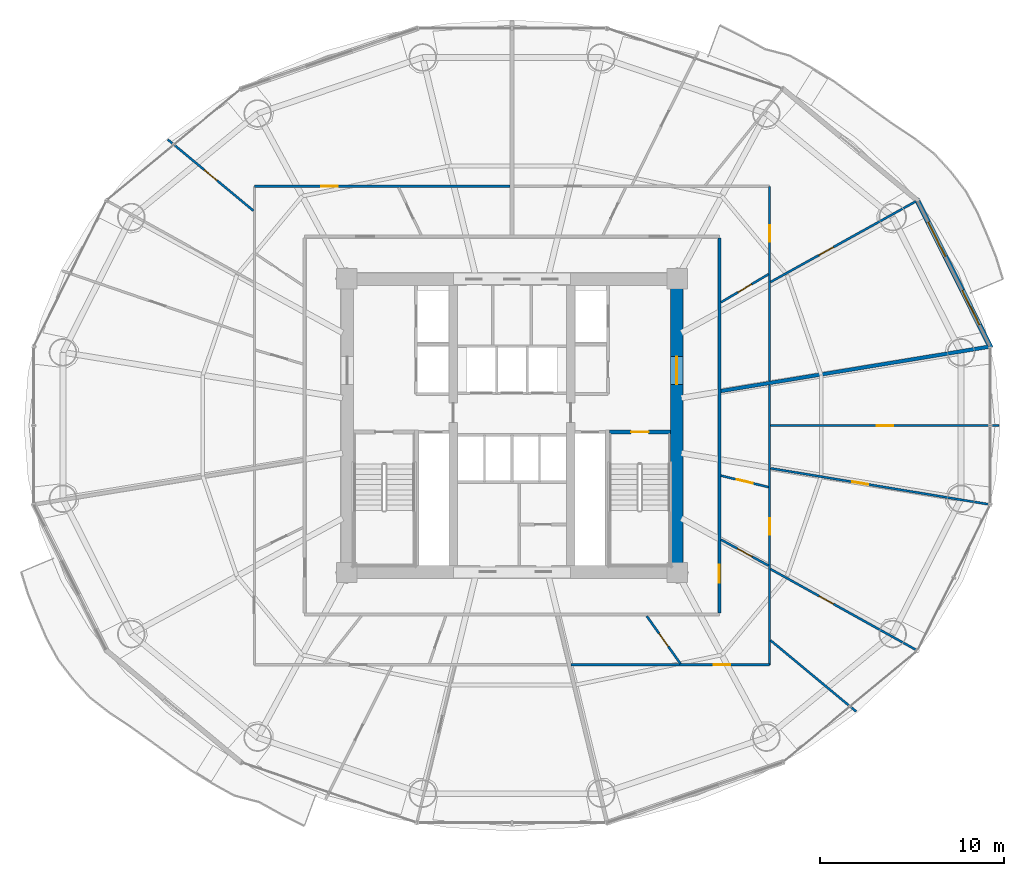
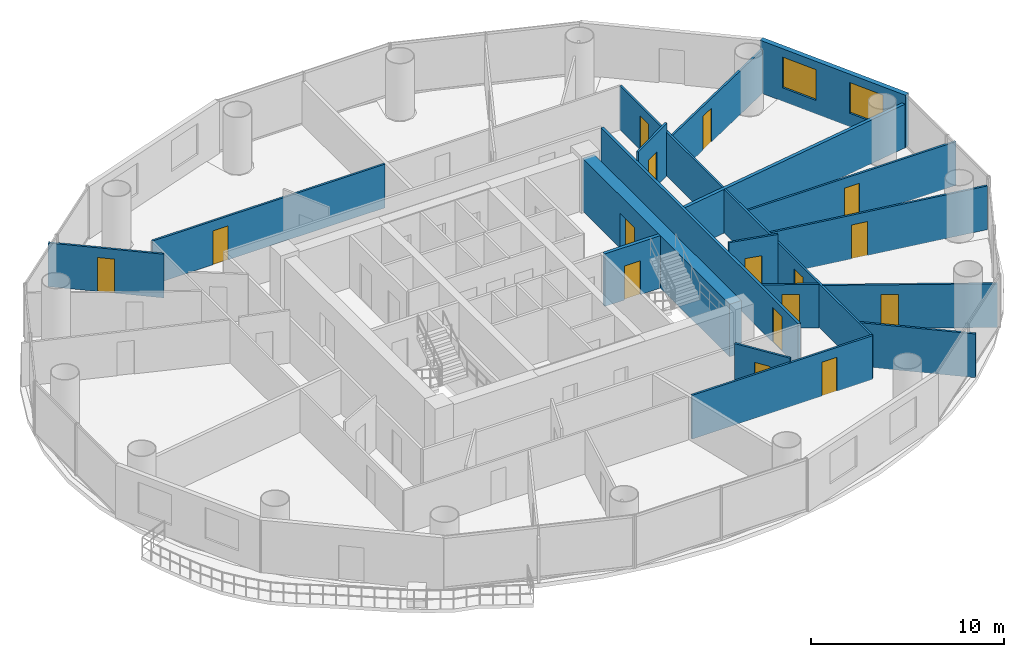
# One storey, part 24 of 29: 19 walls, 16 doors, 2 windows, 18 openings.
"""IFC4 building model written with IfcOpenShell, lengths in metres."""

from ifc_helpers import new_model, si_unit, direction, frame, frame_2d, origin, place, context, subcontext, project, spatial, rectangle, extrude, source, transform, mapped, material, layer, layer_set, type_object, element, fill, save


model = new_model("IFC4")

# Units and contexts
model_context = context("Model", 3, precision=1e-05, world=origin(), true_north=direction((-0.2419218956, 0.970295726276)))
body_context = subcontext(model_context, "Body", "Model", "MODEL_VIEW")
ifc_project = project(units=[si_unit("LENGTHUNIT", "METRE"), si_unit("AREAUNIT", "SQUARE_METRE"), si_unit("VOLUMEUNIT", "CUBIC_METRE"), si_unit("PLANEANGLEUNIT", "RADIAN"), si_unit("MASSUNIT", "GRAM", prefix="KILO")], contexts=[model_context])

# Site, building, storey
site_placement = place(None, origin())
site = spatial("IfcSite", under=ifc_project, at=site_placement, CompositionType="ELEMENT")
building_placement = place(site_placement, origin())
building = spatial("IfcBuilding", under=site, at=building_placement, Name="Cobrevalo Terracotta Tower", CompositionType="ELEMENT")
storey_placement = place(building_placement, frame((0.0, 0.0, 79.800048828125)))
storey = spatial("IfcBuildingStorey", under=building, at=storey_placement, Name="L20", CompositionType="ELEMENT", Elevation=79.800048828125)

# Wall, opening, door
ifc_material_1 = material(Name="Concrete C60", Category="concrete")
ifc_layer_1 = layer(ifc_material_1, 0.699951171875)
ifc_layer_set_1 = layer_set([ifc_layer_1], Name="Concrete C60")
wall_type_1 = type_object("IfcWallType", Name="Core shear wall 700 mm Concrete C60", PredefinedType="SHEAR", material=ifc_layer_set_1)
wall_1_placement = place(storey_placement, frame((46.97509765625, 19.175048828125, 0.0), z_axis=(0.0, 0.0, 1.0), x_axis=(0.0, 1.0, 0.0)))
wall_1 = element("IfcWall", 1, at=wall_1_placement, inside=storey, type_object=wall_type_1, Name="L20 east core shear wall", PredefinedType="SHEAR", context=body_context, shape_type="SweptSolid", body=[
    extrude(rectangle(XDim=15.25, YDim=0.699951171875, at=frame_2d((7.625, 0.0))), origin(), (0.0, 0.0, 1.0), 3.324951171875),
])
opening_1_placement = place(wall_1_placement, frame((9.875, 0.0, 0.0)))
opening_1 = element("IfcOpeningElement", 2, at=opening_1_placement, cuts=wall_1, Name="Opening ID-14", PredefinedType="OPENING", context=body_context, shape_type="SweptSolid", body=[
    extrude(rectangle(XDim=1.5, YDim=2.199951171875, at=frame_2d((0.75, 1.10009765625))), frame((0.0, 0.35986328125, 0.0), z_axis=(0.0, -1.0, 0.0), x_axis=(1.0, 0.0, 0.0)), (0.0, 0.0, 1.0), 0.719970703125),
])
ifc_material_2 = material(Name="Galvanized fire-rated steel", Category="steel")
door_type_1 = type_object("IfcDoorType", Name="Core cross-lobby double fire door 1500x2200 EI 90", OperationType="NOTDEFINED", PredefinedType="DOOR", material=ifc_material_2)
shared_shape_1 = source(origin(), body_context, "Body", "SweptSolid", [
    extrude(rectangle(XDim=1.5, YDim=2.199951171875, at=frame_2d((0.75, 1.10009765625))), frame((0.0, 0.02490234375, 0.0), z_axis=(0.0, -1.0, 0.0), x_axis=(1.0, 0.0, 0.0)), (0.0, 0.0, 1.0), 0.050048828125),
])
door_1_placement = place(opening_1_placement, frame((1.5, 0.0, 0.0), z_axis=(0.0, 0.0, 1.0), x_axis=(-1.0, 0.0, 0.0)))
door_1 = element("IfcDoor", 3, at=door_1_placement, inside=storey, type_object=door_type_1, Name="L20 east firefighting lobby entrance door", OperationType="DOUBLE_DOOR_SINGLE_SWING", OverallHeight=2.199951171875, OverallWidth=1.5, PredefinedType="DOOR", context=body_context, shape_type="MappedRepresentation", body=[
    mapped(shared_shape_1, transform((0.0, 0.0, 0.0), scale=1.0)),
])
fill(opening_1, door_1)

ifc_material_3 = material(Name="Gypsum board on steel stud", Category="steel")
ifc_layer_2 = layer(ifc_material_3, 0.159912109375)
ifc_layer_set_2 = layer_set([ifc_layer_2], Name="Gypsum board on steel stud")
wall_type_2 = type_object("IfcWallType", Name="Fire-rated corridor acoustic partition wall 160 mm", PredefinedType="PARTITIONING", material=ifc_layer_set_2)
wall_2_placement = place(storey_placement, frame((49.304931640625, 16.574951171875, 0.0), z_axis=(0.0, 0.0, 1.0), x_axis=(0.0, 1.0, 0.0)))
wall_2 = element("IfcWall", 4, at=wall_2_placement, inside=storey, type_object=wall_type_2, Name="L20 interior partition IW-L20-COR-E", PredefinedType="PARTITIONING", context=body_context, shape_type="SweptSolid", body=[
    extrude(rectangle(XDim=20.449951171875, YDim=0.159912109375, at=frame_2d((10.22509765625, 0.0))), origin(), (0.0, 0.0, 1.0), 2.766845703125),
])
opening_2_placement = place(wall_2_placement, frame((1.64892578125, 0.0, 0.0)))
opening_2 = element("IfcOpeningElement", 5, at=opening_2_placement, cuts=wall_2, Name="Opening ID-05", PredefinedType="OPENING", context=body_context, shape_type="SweptSolid", body=[
    extrude(rectangle(XDim=0.97998046875, YDim=2.199951171875, at=frame_2d((0.489990234375, 1.10009765625))), frame((0.0, 0.08984375, 0.0), z_axis=(0.0, -1.0, 0.0), x_axis=(1.0, 0.0, 0.0)), (0.0, 0.0, 1.0), 0.179931640625),
])
ifc_material_4 = material(Name="Solid hardwood timber", Category="wood")
door_type_2 = type_object("IfcDoorType", Name="Residence entrance fire-rated acoustic timber door 980x2200 EI 60", OperationType="NOTDEFINED", PredefinedType="DOOR", material=ifc_material_4)
shared_shape_2 = source(origin(), body_context, "Body", "SweptSolid", [
    extrude(rectangle(XDim=0.97998046875, YDim=2.199951171875, at=frame_2d((0.489990234375, 1.10009765625))), frame((0.0, 0.02490234375, 0.0), z_axis=(0.0, -1.0, 0.0), x_axis=(1.0, 0.0, 0.0)), (0.0, 0.0, 1.0), 0.050048828125),
])
door_2_placement = place(opening_2_placement, frame((0.97998046875, 0.0, 0.0), z_axis=(0.0, 0.0, 1.0), x_axis=(-1.0, 0.0, 0.0)))
door_2 = element("IfcDoor", 6, at=door_2_placement, inside=storey, type_object=door_type_2, Name="Flat L20D fire-rated apartment entrance door", OperationType="SINGLE_SWING_RIGHT", OverallHeight=2.199951171875, OverallWidth=0.97998046875, PredefinedType="DOOR", context=body_context, shape_type="MappedRepresentation", body=[
    mapped(shared_shape_2, transform((0.0, 0.0, 0.0), scale=1.0)),
])
fill(opening_2, door_2)

# Wall
ifc_material_5 = material(Name="Autoclaved aerated concrete block", Category="concrete")
ifc_layer_3 = layer(ifc_material_5, 0.199951171875)
ifc_layer_set_3 = layer_set([ifc_layer_3], Name="Autoclaved aerated concrete block")
wall_type_3 = type_object("IfcWallType", Name="Fire-rated stair, shaft & demising masonry wall 200 mm", PredefinedType="PARTITIONING", material=ifc_layer_set_3)
wall_3_placement = place(storey_placement, frame((49.386962890625, 28.681884765625, 0.0), z_axis=(0.0, 0.0, 1.0), x_axis=(0.986617934215, 0.163049231479, 0.0)))
element("IfcWall", 7, at=wall_3_placement, inside=storey, type_object=wall_type_3, Name="L20 interior partition IW-L20-DEM-1", PredefinedType="PARTITIONING", context=body_context, shape_type="SweptSolid", body=[
    extrude(rectangle(XDim=14.78466796875, YDim=0.199951171875, at=frame_2d((7.392333984375, 0.0))), origin(), (0.0, 0.0, 1.0), 2.766845703125),
])

# Wall, openings, windows
ifc_layer_4 = layer(ifc_material_5, 0.280029296875)
ifc_layer_set_4 = layer_set([ifc_layer_4], Name="Autoclaved aerated concrete block")
wall_type_4 = type_object("IfcWallType", Name="Insulated tower spandrel & pier wall 280 mm with terracotta rainscreen", PredefinedType="SOLIDWALL", material=ifc_layer_set_4)
wall_4_placement = place(storey_placement, frame((64.09521484375, 31.033935546875, 0.0), z_axis=(0.0, 0.0, 1.0), x_axis=(-0.446263788661, 0.894901464369, 0.0)))
wall_4 = element("IfcWall", 8, at=wall_4_placement, inside=storey, type_object=wall_type_4, Name="L20 terracotta rainscreen pier wall S01", PredefinedType="SOLIDWALL", context=body_context, shape_type="SweptSolid", body=[
    extrude(rectangle(XDim=9.05029296875, YDim=0.280029296875, at=frame_2d((4.525146484375, 0.0))), origin(), (0.0, 0.0, 1.0), 3.324951171875),
])
opening_3_placement = place(wall_4_placement, frame((1.3935546875, 0.0, 0.85009765625)))
opening_3 = element("IfcOpeningElement", 9, at=opening_3_placement, cuts=wall_4, Name="Opening WN-10", PredefinedType="OPENING", context=body_context, shape_type="SweptSolid", body=[
    extrude(rectangle(XDim=2.10009765625, YDim=1.949951171875, at=frame_2d((1.050048828125, 0.97509765625))), frame((0.0, 0.14990234375, 0.0), z_axis=(0.0, -1.0, 0.0), x_axis=(1.0, 0.0, 0.0)), (0.0, 0.0, 1.0), 0.300048828125),
])
opening_4_placement = place(wall_4_placement, frame((5.556640625, 0.0, 0.85009765625)))
opening_4 = element("IfcOpeningElement", 10, at=opening_4_placement, cuts=wall_4, Name="Opening WN-10", PredefinedType="OPENING", context=body_context, shape_type="SweptSolid", body=[
    extrude(rectangle(XDim=2.10009765625, YDim=1.949951171875, at=frame_2d((1.050048828125, 0.97509765625))), frame((0.0, 0.14990234375, 0.0), z_axis=(0.0, -1.0, 0.0), x_axis=(1.0, 0.0, 0.0)), (0.0, 0.0, 1.0), 0.300048828125),
])
ifc_material_6 = material(Name="Solar-control low-E double glazing", Category="glass")
window_type = type_object("IfcWindowType", Name="Wide panoramic low-E aluminium window 2100x1950", PartitioningType="SINGLE_PANEL", PredefinedType="WINDOW", material=ifc_material_6)
shared_shape_3 = source(origin(), body_context, "Body", "SweptSolid", [
    extrude(rectangle(XDim=2.10009765625, YDim=1.949951171875, at=frame_2d((1.050048828125, 0.97509765625))), frame((0.0, 0.030029296875, 0.0), z_axis=(0.0, -1.0, 0.0), x_axis=(1.0, 0.0, 0.0)), (0.0, 0.0, 1.0), 0.06005859375),
])
window_1_placement = place(opening_3_placement, origin())
window_1 = element("IfcWindow", 11, at=window_1_placement, inside=storey, type_object=window_type, Name="L20 suite window S01A", OverallHeight=1.949951171875, OverallWidth=2.10009765625, PartitioningType="SINGLE_PANEL", PredefinedType="WINDOW", context=body_context, shape_type="MappedRepresentation", body=[
    mapped(shared_shape_3, transform((0.0, 0.0, 0.0), scale=1.0)),
])
fill(opening_3, window_1)
window_2_placement = place(opening_4_placement, origin())
window_2 = element("IfcWindow", 12, at=window_2_placement, inside=storey, type_object=window_type, Name="L20 suite window S01B", OverallHeight=1.949951171875, OverallWidth=2.10009765625, PartitioningType="SINGLE_PANEL", PredefinedType="WINDOW", context=body_context, shape_type="MappedRepresentation", body=[
    mapped(shared_shape_3, transform((0.0, 0.0, 0.0), scale=1.0)),
])
fill(opening_4, window_2)

# Wall, opening, door
ifc_layer_5 = layer(ifc_material_3, 0.1201171875)
ifc_layer_set_5 = layer_set([ifc_layer_5], Name="Gypsum board on steel stud")
wall_type_5 = type_object("IfcWallType", Name="Residential internal acoustic stud partition 120 mm", PredefinedType="PARTITIONING", material=ifc_layer_set_5)
wall_5_placement = place(storey_placement, frame((52.034912109375, 39.8349609375, 0.0), z_axis=(0.0, 0.0, 1.0), x_axis=(0.0, -1.0, 0.0)))
wall_5 = element("IfcWall", 13, at=wall_5_placement, inside=storey, type_object=wall_type_5, Name="L20 interior partition IW-L20-U1-RING1_0", PredefinedType="PARTITIONING", context=body_context, shape_type="SweptSolid", body=[
    extrude(rectangle(XDim=10.613525390625, YDim=0.1201171875, at=frame_2d((5.306640625, 0.0))), origin(), (0.0, 0.0, 1.0), 2.766845703125),
])
opening_5_placement = place(wall_5_placement, frame((2.107421875, 0.0, 0.0)))
opening_5 = element("IfcOpeningElement", 14, at=opening_5_placement, cuts=wall_5, Name="Opening ID-12", PredefinedType="OPENING", context=body_context, shape_type="SweptSolid", body=[
    extrude(rectangle(XDim=0.89990234375, YDim=2.14990234375, at=frame_2d((0.449951171875, 1.074951171875))), frame((0.0, 0.070068359375, 0.0), z_axis=(0.0, -1.0, 0.0), x_axis=(1.0, 0.0, 0.0)), (0.0, 0.0, 1.0), 0.14013671875),
])
ifc_material_7 = material(Name="Engineered timber", Category="wood")
door_type_3 = type_object("IfcDoorType", Name="Internal residence & suite timber door 900x2150", OperationType="NOTDEFINED", PredefinedType="DOOR", material=ifc_material_7)
shared_shape_4 = source(origin(), body_context, "Body", "SweptSolid", [
    extrude(rectangle(XDim=0.89990234375, YDim=2.14990234375, at=frame_2d((0.449951171875, 1.074951171875))), frame((0.0, 0.02490234375, 0.0), z_axis=(0.0, -1.0, 0.0), x_axis=(1.0, 0.0, 0.0)), (0.0, 0.0, 1.0), 0.050048828125),
])
door_3_placement = place(opening_5_placement, origin())
door_3 = element("IfcDoor", 15, at=door_3_placement, inside=storey, type_object=door_type_3, Name="Flat L20A Master Bedroom internal door", OperationType="SINGLE_SWING_RIGHT", OverallHeight=2.14990234375, OverallWidth=0.89990234375, PredefinedType="DOOR", context=body_context, shape_type="MappedRepresentation", body=[
    mapped(shared_shape_4, transform((0.0, 0.0, 0.0), scale=1.0)),
])
fill(opening_5, door_3)

wall_6_placement = place(storey_placement, frame((52.089111328125, 34.62158203125, 0.0), z_axis=(0.0, 0.0, 1.0), x_axis=(0.874324904351, 0.485341077626, 0.0)))
wall_6 = element("IfcWall", 16, at=wall_6_placement, inside=storey, type_object=wall_type_5, Name="L20 interior partition IW-L20-U1-ORAD1", PredefinedType="PARTITIONING", context=body_context, shape_type="SweptSolid", body=[
    extrude(rectangle(XDim=9.065673828125, YDim=0.1201171875, at=frame_2d((4.53271484375, 0.0))), origin(), (0.0, 0.0, 1.0), 2.766845703125),
])
opening_6_placement = place(wall_6_placement, frame((3.015625, 0.0, 0.0)))
opening_6 = element("IfcOpeningElement", 17, at=opening_6_placement, cuts=wall_6, Name="Opening ID-12", PredefinedType="OPENING", context=body_context, shape_type="SweptSolid", body=[
    extrude(rectangle(XDim=0.89990234375, YDim=2.14990234375, at=frame_2d((0.449951171875, 1.074951171875))), frame((0.0, 0.070068359375, 0.0), z_axis=(0.0, -1.0, 0.0), x_axis=(1.0, 0.0, 0.0)), (0.0, 0.0, 1.0), 0.14013671875),
])
door_4_placement = place(opening_6_placement, frame((0.89990234375, 0.0, 0.0), z_axis=(0.0, 0.0, 1.0), x_axis=(-1.0, 0.0, 0.0)))
door_4 = element("IfcDoor", 18, at=door_4_placement, inside=storey, type_object=door_type_3, Name="Flat L20A Living and Dining Room internal door", OperationType="SINGLE_SWING_RIGHT", OverallHeight=2.14990234375, OverallWidth=0.89990234375, PredefinedType="DOOR", context=body_context, shape_type="MappedRepresentation", body=[
    mapped(shared_shape_4, transform((0.0, 0.0, 0.0), scale=1.0)),
])
fill(opening_6, door_4)

wall_7_placement = place(storey_placement, frame((49.38671875, 33.516845703125, 0.0), z_axis=(0.0, 0.0, 1.0), x_axis=(0.861344081849, 0.508022019862, 0.0)))
wall_7 = element("IfcWall", 19, at=wall_7_placement, inside=storey, type_object=wall_type_5, Name="L20 interior partition IW-L20-U1-IRAD1", PredefinedType="PARTITIONING", context=body_context, shape_type="SweptSolid", body=[
    extrude(rectangle(XDim=3.0126953125, YDim=0.1201171875, at=frame_2d((1.50634765625, 0.0))), origin(), (0.0, 0.0, 1.0), 3.324951171875),
])
opening_7_placement = place(wall_7_placement, frame((1.076416015625, 0.0, 0.0)))
opening_7 = element("IfcOpeningElement", 20, at=opening_7_placement, cuts=wall_7, Name="Opening ID-19", PredefinedType="OPENING", context=body_context, shape_type="SweptSolid", body=[
    extrude(rectangle(XDim=0.860107421875, YDim=2.14990234375, at=frame_2d((0.43017578125, 1.074951171875))), frame((0.0, 0.070068359375, 0.0), z_axis=(0.0, -1.0, 0.0), x_axis=(1.0, 0.0, 0.0)), (0.0, 0.0, 1.0), 0.14013671875),
])
ifc_material_8 = material(Name="Moisture-sealed timber", Category="wood")
door_type_4 = type_object("IfcDoorType", Name="Suite bathroom internal timber door 860x2150", OperationType="NOTDEFINED", PredefinedType="DOOR", material=ifc_material_8)
shared_shape_5 = source(origin(), body_context, "Body", "SweptSolid", [
    extrude(rectangle(XDim=0.860107421875, YDim=2.14990234375, at=frame_2d((0.43017578125, 1.074951171875))), frame((0.0, 0.02490234375, 0.0), z_axis=(0.0, -1.0, 0.0), x_axis=(1.0, 0.0, 0.0)), (0.0, 0.0, 1.0), 0.050048828125),
])
door_5_placement = place(opening_7_placement, frame((0.860107421875, 0.0, 0.0), z_axis=(0.0, 0.0, 1.0), x_axis=(-1.0, 0.0, 0.0)))
door_5 = element("IfcDoor", 21, at=door_5_placement, inside=storey, type_object=door_type_4, Name="Flat L20A Primary Bathroom internal door", OperationType="SINGLE_SWING_LEFT", OverallHeight=2.14990234375, OverallWidth=0.860107421875, PredefinedType="DOOR", context=body_context, shape_type="MappedRepresentation", body=[
    mapped(shared_shape_5, transform((0.0, 0.0, 0.0), scale=1.0)),
])
fill(opening_7, door_5)

wall_8_placement = place(storey_placement, frame((23.965087890625, 39.8349609375, 0.0), z_axis=(0.0, 0.0, 1.0), x_axis=(1.0, 0.0, 0.0)))
wall_8 = element("IfcWall", 22, at=wall_8_placement, inside=storey, type_object=wall_type_5, Name="L20 interior partition IW-L20-U2-RING1_0", PredefinedType="PARTITIONING", context=body_context, shape_type="SweptSolid", body=[
    extrude(rectangle(XDim=13.932861328125, YDim=0.1201171875, at=frame_2d((6.96630859375, 0.0))), origin(), (0.0, 0.0, 1.0), 2.766845703125),
])
opening_8_placement = place(wall_8_placement, frame((3.635986328125, 0.0, 0.0)))
opening_8 = element("IfcOpeningElement", 23, at=opening_8_placement, cuts=wall_8, Name="Opening ID-12", PredefinedType="OPENING", context=body_context, shape_type="SweptSolid", body=[
    extrude(rectangle(XDim=0.89990234375, YDim=2.14990234375, at=frame_2d((0.449951171875, 1.074951171875))), frame((0.0, 0.070068359375, 0.0), z_axis=(0.0, -1.0, 0.0), x_axis=(1.0, 0.0, 0.0)), (0.0, 0.0, 1.0), 0.14013671875),
])
door_6_placement = place(opening_8_placement, origin())
door_6 = element("IfcDoor", 24, at=door_6_placement, inside=storey, type_object=door_type_3, Name="Flat L20B Penthouse Living and Dining Room internal door", OperationType="SINGLE_SWING_LEFT", OverallHeight=2.14990234375, OverallWidth=0.89990234375, PredefinedType="DOOR", context=body_context, shape_type="MappedRepresentation", body=[
    mapped(shared_shape_4, transform((0.0, 0.0, 0.0), scale=1.0)),
])
fill(opening_8, door_6)

wall_9_placement = place(storey_placement, frame((23.917236328125, 38.500244140625, 0.0), z_axis=(0.0, 0.0, 1.0), x_axis=(-0.769161827891, 0.63905405289, 0.0)))
wall_9 = element("IfcWall", 25, at=wall_9_placement, inside=storey, type_object=wall_type_5, Name="L20 interior partition IW-L20-U2-ORAD1", PredefinedType="PARTITIONING", context=body_context, shape_type="SweptSolid", body=[
    extrude(rectangle(XDim=6.07958984375, YDim=0.1201171875, at=frame_2d((3.039794921875, 0.0))), origin(), (0.0, 0.0, 1.0), 2.766845703125),
])
opening_9_placement = place(wall_9_placement, frame((2.58984375, 0.0, 0.0)))
opening_9 = element("IfcOpeningElement", 26, at=opening_9_placement, cuts=wall_9, Name="Opening ID-12", PredefinedType="OPENING", context=body_context, shape_type="SweptSolid", body=[
    extrude(rectangle(XDim=0.89990234375, YDim=2.14990234375, at=frame_2d((0.449951171875, 1.074951171875))), frame((0.0, 0.070068359375, 0.0), z_axis=(0.0, -1.0, 0.0), x_axis=(1.0, 0.0, 0.0)), (0.0, 0.0, 1.0), 0.14013671875),
])
door_7_placement = place(opening_9_placement, origin())
door_7 = element("IfcDoor", 27, at=door_7_placement, inside=storey, type_object=door_type_3, Name="Flat L20B Master Bedroom internal door", OperationType="SINGLE_SWING_RIGHT", OverallHeight=2.14990234375, OverallWidth=0.89990234375, PredefinedType="DOOR", context=body_context, shape_type="MappedRepresentation", body=[
    mapped(shared_shape_4, transform((0.0, 0.0, 0.0), scale=1.0)),
])
fill(opening_9, door_7)

wall_10_placement = place(storey_placement, frame((52.034912109375, 29.017333984375, 0.0), z_axis=(0.0, 0.0, 1.0), x_axis=(0.0, -1.0, 0.0)))
wall_10 = element("IfcWall", 28, at=wall_10_placement, inside=storey, type_object=wall_type_5, Name="L20 interior partition IW-L20-U4-RING0_0", PredefinedType="PARTITIONING", context=body_context, shape_type="SweptSolid", body=[
    extrude(rectangle(XDim=15.25244140625, YDim=0.1201171875, at=frame_2d((7.626220703125, 0.0))), origin(), (0.0, 0.0, 1.0), 2.766845703125),
])
opening_10_placement = place(wall_10_placement, frame((7.2783203125, 0.0, 0.0)))
opening_10 = element("IfcOpeningElement", 29, at=opening_10_placement, cuts=wall_10, Name="Opening ID-12", PredefinedType="OPENING", context=body_context, shape_type="SweptSolid", body=[
    extrude(rectangle(XDim=0.89990234375, YDim=2.14990234375, at=frame_2d((0.449951171875, 1.074951171875))), frame((0.0, 0.070068359375, 0.0), z_axis=(0.0, -1.0, 0.0), x_axis=(1.0, 0.0, 0.0)), (0.0, 0.0, 1.0), 0.14013671875),
])
door_8_placement = place(opening_10_placement, origin())
door_8 = element("IfcDoor", 30, at=door_8_placement, inside=storey, type_object=door_type_3, Name="Flat L20D Penthouse Family Lounge internal door", OperationType="SINGLE_SWING_RIGHT", OverallHeight=2.14990234375, OverallWidth=0.89990234375, PredefinedType="DOOR", context=body_context, shape_type="MappedRepresentation", body=[
    mapped(shared_shape_4, transform((0.0, 0.0, 0.0), scale=1.0)),
])
fill(opening_10, door_8)

wall_11_placement = place(storey_placement, frame((52.034912109375, 13.764892578125, 0.0), z_axis=(0.0, 0.0, 1.0), x_axis=(-1.0, 0.0, 0.0)))
wall_11 = element("IfcWall", 31, at=wall_11_placement, inside=storey, type_object=wall_type_5, Name="L20 interior partition IW-L20-U4-RING1_0", PredefinedType="PARTITIONING", context=body_context, shape_type="SweptSolid", body=[
    extrude(rectangle(XDim=10.812255859375, YDim=0.1201171875, at=frame_2d((5.40625, 0.0))), origin(), (0.0, 0.0, 1.0), 2.766845703125),
])
opening_11_placement = place(wall_11_placement, frame((2.14453125, 0.0, 0.0)))
opening_11 = element("IfcOpeningElement", 32, at=opening_11_placement, cuts=wall_11, Name="Opening ID-12", PredefinedType="OPENING", context=body_context, shape_type="SweptSolid", body=[
    extrude(rectangle(XDim=0.89990234375, YDim=2.14990234375, at=frame_2d((0.449951171875, 1.074951171875))), frame((0.0, 0.070068359375, 0.0), z_axis=(0.0, -1.0, 0.0), x_axis=(1.0, 0.0, 0.0)), (0.0, 0.0, 1.0), 0.14013671875),
])
door_9_placement = place(opening_11_placement, origin())
door_9 = element("IfcDoor", 33, at=door_9_placement, inside=storey, type_object=door_type_3, Name="Flat L20D Penthouse Living and Dining Room internal door", OperationType="SINGLE_SWING_RIGHT", OverallHeight=2.14990234375, OverallWidth=0.89990234375, PredefinedType="DOOR", context=body_context, shape_type="MappedRepresentation", body=[
    mapped(shared_shape_4, transform((0.0, 0.0, 0.0), scale=1.0)),
])
fill(opening_11, door_9)

# Wall
wall_12_placement = place(storey_placement, frame((52.082763671875, 15.099609375, 0.0), z_axis=(0.0, 0.0, 1.0), x_axis=(0.769161827891, -0.63905405289, 0.0)))
element("IfcWall", 34, at=wall_12_placement, inside=storey, type_object=wall_type_5, Name="L20 interior partition IW-L20-U4-ORAD1", PredefinedType="PARTITIONING", context=body_context, shape_type="SweptSolid", body=[
    extrude(rectangle(XDim=6.07958984375, YDim=0.1201171875, at=frame_2d((3.039794921875, 0.0))), origin(), (0.0, 0.0, 1.0), 2.766845703125),
])

# Wall, opening, door
wall_13_placement = place(storey_placement, frame((52.089111328125, 18.978515625, 0.0), z_axis=(0.0, 0.0, 1.0), x_axis=(0.874313476423, -0.485361664066, 0.0)))
wall_13 = element("IfcWall", 35, at=wall_13_placement, inside=storey, type_object=wall_type_5, Name="L20 interior partition IW-L20-U4-ORAD2M1", PredefinedType="PARTITIONING", context=body_context, shape_type="SweptSolid", body=[
    extrude(rectangle(XDim=9.065673828125, YDim=0.1201171875, at=frame_2d((4.53271484375, 0.0))), origin(), (0.0, 0.0, 1.0), 2.766845703125),
])
opening_12_placement = place(wall_13_placement, frame((3.02001953125, 0.0, 0.0)))
opening_12 = element("IfcOpeningElement", 36, at=opening_12_placement, cuts=wall_13, Name="Opening ID-12", PredefinedType="OPENING", context=body_context, shape_type="SweptSolid", body=[
    extrude(rectangle(XDim=0.89990234375, YDim=2.14990234375, at=frame_2d((0.449951171875, 1.074951171875))), frame((0.0, 0.070068359375, 0.0), z_axis=(0.0, -1.0, 0.0), x_axis=(1.0, 0.0, 0.0)), (0.0, 0.0, 1.0), 0.14013671875),
])
door_10_placement = place(opening_12_placement, frame((0.89990234375, 0.0, 0.0), z_axis=(0.0, 0.0, 1.0), x_axis=(-1.0, 0.0, 0.0)))
door_10 = element("IfcDoor", 37, at=door_10_placement, inside=storey, type_object=door_type_3, Name="Flat L20D Master Bedroom internal door", OperationType="SINGLE_SWING_RIGHT", OverallHeight=2.14990234375, OverallWidth=0.89990234375, PredefinedType="DOOR", context=body_context, shape_type="MappedRepresentation", body=[
    mapped(shared_shape_4, transform((0.0, 0.0, 0.0), scale=1.0)),
])
fill(opening_12, door_10)

wall_14_placement = place(storey_placement, frame((52.09619140625, 24.470458984375, 0.0), z_axis=(0.0, 0.0, 1.0), x_axis=(0.986618264768, -0.163047231274, 0.0)))
wall_14 = element("IfcWall", 38, at=wall_14_placement, inside=storey, type_object=wall_type_5, Name="L20 interior partition IW-L20-U4-ORAD2", PredefinedType="PARTITIONING", context=body_context, shape_type="SweptSolid", body=[
    extrude(rectangle(XDim=12.038818359375, YDim=0.1201171875, at=frame_2d((6.01953125, 0.0))), origin(), (0.0, 0.0, 1.0), 2.766845703125),
])
opening_13_placement = place(wall_14_placement, frame((4.495849609375, 0.0, 0.0)))
opening_13 = element("IfcOpeningElement", 39, at=opening_13_placement, cuts=wall_14, Name="Opening ID-12", PredefinedType="OPENING", context=body_context, shape_type="SweptSolid", body=[
    extrude(rectangle(XDim=0.89990234375, YDim=2.14990234375, at=frame_2d((0.449951171875, 1.074951171875))), frame((0.0, 0.070068359375, 0.0), z_axis=(0.0, -1.0, 0.0), x_axis=(1.0, 0.0, 0.0)), (0.0, 0.0, 1.0), 0.14013671875),
])
door_11_placement = place(opening_13_placement, origin())
door_11 = element("IfcDoor", 40, at=door_11_placement, inside=storey, type_object=door_type_3, Name="Flat L20D Principal Guest Bedroom internal door", OperationType="SINGLE_SWING_LEFT", OverallHeight=2.14990234375, OverallWidth=0.89990234375, PredefinedType="DOOR", context=body_context, shape_type="MappedRepresentation", body=[
    mapped(shared_shape_4, transform((0.0, 0.0, 0.0), scale=1.0)),
])
fill(opening_13, door_11)

wall_15_placement = place(storey_placement, frame((52.096923828125, 26.800048828125, 0.0), z_axis=(0.0, 0.0, 1.0), x_axis=(1.0, 0.0, 0.0)))
wall_15 = element("IfcWall", 41, at=wall_15_placement, inside=storey, type_object=wall_type_5, Name="L20 interior partition IW-L20-U4-ORAD3M1", PredefinedType="PARTITIONING", context=body_context, shape_type="SweptSolid", body=[
    extrude(rectangle(XDim=12.443115234375, YDim=0.1201171875, at=frame_2d((6.2216796875, 0.0))), origin(), (0.0, 0.0, 1.0), 2.766845703125),
])
opening_14_placement = place(wall_15_placement, frame((5.771484375, 0.0, 0.0)))
opening_14 = element("IfcOpeningElement", 42, at=opening_14_placement, cuts=wall_15, Name="Opening ID-12", PredefinedType="OPENING", context=body_context, shape_type="SweptSolid", body=[
    extrude(rectangle(XDim=0.89990234375, YDim=2.14990234375, at=frame_2d((0.449951171875, 1.074951171875))), frame((0.0, 0.070068359375, 0.0), z_axis=(0.0, -1.0, 0.0), x_axis=(1.0, 0.0, 0.0)), (0.0, 0.0, 1.0), 0.14013671875),
])
door_12_placement = place(opening_14_placement, origin())
door_12 = element("IfcDoor", 43, at=door_12_placement, inside=storey, type_object=door_type_3, Name="Flat L20D Penthouse Family Lounge internal door", OperationType="SINGLE_SWING_RIGHT", OverallHeight=2.14990234375, OverallWidth=0.89990234375, PredefinedType="DOOR", context=body_context, shape_type="MappedRepresentation", body=[
    mapped(shared_shape_4, transform((0.0, 0.0, 0.0), scale=1.0)),
])
fill(opening_14, door_12)

wall_16_placement = place(storey_placement, frame((45.345458984375, 16.4150390625, 0.0), z_axis=(0.0, 0.0, 1.0), x_axis=(0.577474693199, -0.816408585645, 0.0)))
wall_16 = element("IfcWall", 44, at=wall_16_placement, inside=storey, type_object=wall_type_5, Name="L20 interior partition IW-L20-U4-IRAD1", PredefinedType="PARTITIONING", context=body_context, shape_type="SweptSolid", body=[
    extrude(rectangle(XDim=3.183837890625, YDim=0.1201171875, at=frame_2d((1.591796875, 0.0))), origin(), (0.0, 0.0, 1.0), 3.00390625),
])
opening_15_placement = place(wall_16_placement, frame((1.162109375, 0.0, 0.0)))
opening_15 = element("IfcOpeningElement", 45, at=opening_15_placement, cuts=wall_16, Name="Opening ID-19", PredefinedType="OPENING", context=body_context, shape_type="SweptSolid", body=[
    extrude(rectangle(XDim=0.860107421875, YDim=2.14990234375, at=frame_2d((0.43017578125, 1.074951171875))), frame((0.0, 0.070068359375, 0.0), z_axis=(0.0, -1.0, 0.0), x_axis=(1.0, 0.0, 0.0)), (0.0, 0.0, 1.0), 0.14013671875),
])
door_13_placement = place(opening_15_placement, frame((0.860107421875, 0.0, 0.0), z_axis=(0.0, 0.0, 1.0), x_axis=(-1.0, 0.0, 0.0)))
door_13 = element("IfcDoor", 46, at=door_13_placement, inside=storey, type_object=door_type_4, Name="Flat L20D Primary Bathroom internal door", OperationType="SINGLE_SWING_LEFT", OverallHeight=2.14990234375, OverallWidth=0.860107421875, PredefinedType="DOOR", context=body_context, shape_type="MappedRepresentation", body=[
    mapped(shared_shape_5, transform((0.0, 0.0, 0.0), scale=1.0)),
])
fill(opening_15, door_13)

wall_17_placement = place(storey_placement, frame((49.38671875, 20.58349609375, 0.0), z_axis=(0.0, 0.0, 1.0), x_axis=(0.877718703033, -0.479176249773, 0.0)))
wall_17 = element("IfcWall", 47, at=wall_17_placement, inside=storey, type_object=wall_type_5, Name="L20 interior partition IW-L20-U4-IRAD2", PredefinedType="PARTITIONING", context=body_context, shape_type="SweptSolid", body=[
    extrude(rectangle(XDim=2.955078125, YDim=0.1201171875, at=frame_2d((1.4775390625, 0.0))), origin(), (0.0, 0.0, 1.0), 2.766845703125),
])
opening_16_placement = place(wall_17_placement, frame((1.027587890625, 0.0, 0.0)))
opening_16 = element("IfcOpeningElement", 48, at=opening_16_placement, cuts=wall_17, Name="Opening ID-12", PredefinedType="OPENING", context=body_context, shape_type="SweptSolid", body=[
    extrude(rectangle(XDim=0.89990234375, YDim=2.14990234375, at=frame_2d((0.449951171875, 1.074951171875))), frame((0.0, 0.070068359375, 0.0), z_axis=(0.0, -1.0, 0.0), x_axis=(1.0, 0.0, 0.0)), (0.0, 0.0, 1.0), 0.14013671875),
])
door_14_placement = place(opening_16_placement, origin())
door_14 = element("IfcDoor", 49, at=door_14_placement, inside=storey, type_object=door_type_3, Name="Flat L20D Kitchen internal door", OperationType="SINGLE_SWING_LEFT", OverallHeight=2.14990234375, OverallWidth=0.89990234375, PredefinedType="DOOR", context=body_context, shape_type="MappedRepresentation", body=[
    mapped(shared_shape_4, transform((0.0, 0.0, 0.0), scale=1.0)),
])
fill(opening_16, door_14)

wall_18_placement = place(storey_placement, frame((49.386962890625, 24.06884765625, 0.0), z_axis=(0.0, 0.0, 1.0), x_axis=(0.972423933179, -0.233220269661, 0.0)))
wall_18 = element("IfcWall", 50, at=wall_18_placement, inside=storey, type_object=wall_type_5, Name="L20 interior partition IW-L20-U4-IRAD3", PredefinedType="PARTITIONING", context=body_context, shape_type="SweptSolid", body=[
    extrude(rectangle(XDim=2.6611328125, YDim=0.1201171875, at=frame_2d((1.33056640625, 0.0))), origin(), (0.0, 0.0, 1.0), 3.324951171875),
])
opening_17_placement = place(wall_18_placement, frame((0.880615234375, 0.0, 0.0)))
opening_17 = element("IfcOpeningElement", 51, at=opening_17_placement, cuts=wall_18, Name="Opening ID-12", PredefinedType="OPENING", context=body_context, shape_type="SweptSolid", body=[
    extrude(rectangle(XDim=0.89990234375, YDim=2.14990234375, at=frame_2d((0.449951171875, 1.074951171875))), frame((0.0, 0.070068359375, 0.0), z_axis=(0.0, -1.0, 0.0), x_axis=(1.0, 0.0, 0.0)), (0.0, 0.0, 1.0), 0.14013671875),
])
door_15_placement = place(opening_17_placement, origin())
door_15 = element("IfcDoor", 52, at=door_15_placement, inside=storey, type_object=door_type_3, Name="Flat L20D Private Wellness Room internal door", OperationType="SINGLE_SWING_LEFT", OverallHeight=2.14990234375, OverallWidth=0.89990234375, PredefinedType="DOOR", context=body_context, shape_type="MappedRepresentation", body=[
    mapped(shared_shape_4, transform((0.0, 0.0, 0.0), scale=1.0)),
])
fill(opening_17, door_15)

ifc_material_9 = material(Name="Concrete C50", Category="concrete")
ifc_layer_6 = layer(ifc_material_9, 0.199951171875)
ifc_layer_set_6 = layer_set([ifc_layer_6], Name="Concrete C50")
wall_type_6 = type_object("IfcWallType", Name="Structural core & podium stair-shaft RC wall 200 mm Concrete C50", PredefinedType="SOLIDWALL", material=ifc_layer_set_6)
wall_19_placement = place(storey_placement, frame((43.304931640625, 26.449951171875, 0.0), z_axis=(0.0, 0.0, 1.0), x_axis=(1.0, 0.0, 0.0)))
wall_19 = element("IfcWall", 53, at=wall_19_placement, inside=storey, type_object=wall_type_6, Name="L20 ST-2 north structural shaft wall", PredefinedType="SOLIDWALL", context=body_context, shape_type="SweptSolid", body=[
    extrude(rectangle(XDim=3.320068359375, YDim=0.199951171875, at=frame_2d((1.66015625, 0.0))), origin(), (0.0, 0.0, 1.0), 3.324951171875),
])
opening_18_placement = place(wall_19_placement, frame((1.18505859375, 0.0, 0.0)))
opening_18 = element("IfcOpeningElement", 54, at=opening_18_placement, cuts=wall_19, Name="Opening ID-04", PredefinedType="OPENING", context=body_context, shape_type="SweptSolid", body=[
    extrude(rectangle(XDim=0.949951171875, YDim=2.14990234375, at=frame_2d((0.47509765625, 1.074951171875))), frame((0.0, 0.10986328125, 0.0), z_axis=(0.0, -1.0, 0.0), x_axis=(1.0, 0.0, 0.0)), (0.0, 0.0, 1.0), 0.219970703125),
])
door_type_5 = type_object("IfcDoorType", Name="Stair & firefighting lobby fire door 950x2150 EI 90", OperationType="NOTDEFINED", PredefinedType="DOOR", material=ifc_material_2)
shared_shape_6 = source(origin(), body_context, "Body", "SweptSolid", [
    extrude(rectangle(XDim=0.949951171875, YDim=2.14990234375, at=frame_2d((0.47509765625, 1.074951171875))), frame((0.0, 0.02490234375, 0.0), z_axis=(0.0, -1.0, 0.0), x_axis=(1.0, 0.0, 0.0)), (0.0, 0.0, 1.0), 0.050048828125),
])
door_16_placement = place(opening_18_placement, frame((0.949951171875, 0.0, 0.0), z_axis=(0.0, 0.0, 1.0), x_axis=(-1.0, 0.0, 0.0)))
door_16 = element("IfcDoor", 55, at=door_16_placement, inside=storey, type_object=door_type_5, Name="L20 protected stair ST2 fire door", OperationType="SINGLE_SWING_RIGHT", OverallHeight=2.14990234375, OverallWidth=0.949951171875, PredefinedType="DOOR", context=body_context, shape_type="MappedRepresentation", body=[
    mapped(shared_shape_6, transform((0.0, 0.0, 0.0), scale=1.0)),
])
fill(opening_18, door_16)

save(model, "model.ifc")
